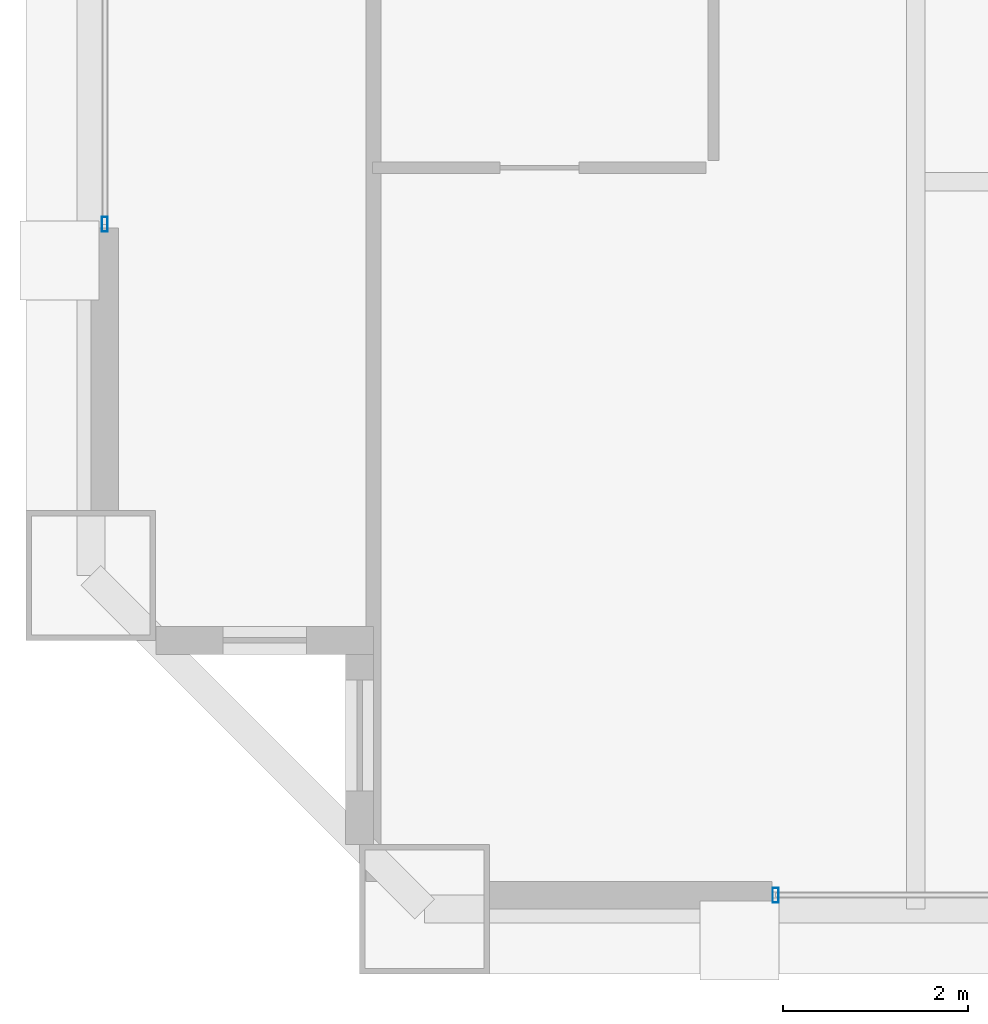
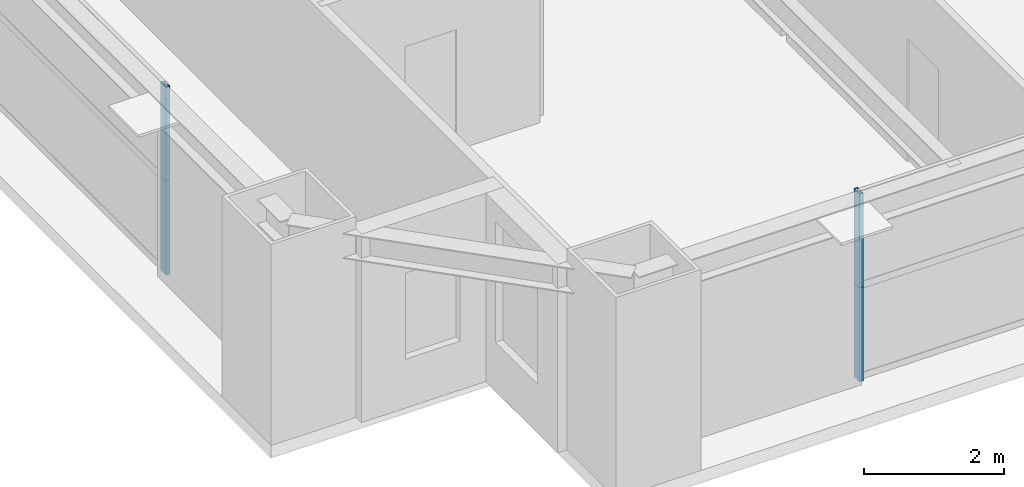
# One storey, part 4 of 38: 4 members, 2 elements without a shape of their own.
"""IFC4 building model written with IfcOpenShell, lengths in metres."""

from ifc_helpers import new_model, si_unit, direction, frame, origin, origin_2d, place, context, subcontext, project, spatial, hollow_rectangle, extrude, source, transform, mapped, material, layer, layer_set, material_profile, profile_set, type_object, element, aggregate, save


model = new_model("IFC4")

# Units and contexts
model_context = context("Model", 3, precision=1e-05, world=origin(), true_north=direction((0.0, 1.0)))
body_context = subcontext(model_context, "Body", "Model", "MODEL_VIEW")
ifc_project = project(units=[si_unit("LENGTHUNIT", "METRE"), si_unit("AREAUNIT", "SQUARE_METRE"), si_unit("VOLUMEUNIT", "CUBIC_METRE"), si_unit("PLANEANGLEUNIT", "RADIAN"), si_unit("MASSUNIT", "GRAM", prefix="KILO"), si_unit("THERMODYNAMICTEMPERATUREUNIT", "KELVIN"), si_unit("POWERUNIT", "WATT")], contexts=[model_context])

# Site, building, storey
site_placement = place(None, origin())
site = spatial("IfcSite", under=ifc_project, at=site_placement, CompositionType="ELEMENT")
building_placement = place(site_placement, origin())
building = spatial("IfcBuilding", under=site, at=building_placement, Name="Yuzanri Waterfront Tower", CompositionType="ELEMENT")
storey_placement = place(building_placement, frame((0.0, 0.0, 209.0)))
storey = spatial("IfcBuildingStorey", under=building, at=storey_placement, Name="L55", CompositionType="ELEMENT", Elevation=209.0)

# Curtain wall, members
ifc_material_1 = material(Name="Anodized Architectural Bronze", Category="metal")
ifc_layer = layer(ifc_material_1, 0.159912109375)
ifc_layer_set = layer_set([ifc_layer], Name="Anodized Architectural Bronze")
curtain_wall_type = type_object("IfcCurtainWallType", Name="Anodized Bronze Mid-Rise Residential Acoustic Unitized Curtain Wall 7200", PredefinedType="NOTDEFINED", material=ifc_layer_set)
curtain_wall_1_placement = place(storey_placement, origin())
curtain_wall_1 = element("IfcCurtainWall", 1, at=curtain_wall_1_placement, inside=storey, type_object=curtain_wall_type, Name="L55 Curtain Wall CW-L55-SL", PredefinedType="NOTDEFINED")
ifc_material_2 = material(Name="Anodized Architectural Bronze", Category="metal")
ifc_material_profile = material_profile(ifc_material_2, hollow_rectangle(XDim=0.06494140625, YDim=0.159912109375, WallThickness=0.00341796875, at=origin_2d()), Name="CWM 65x160")
ifc_profile_set = profile_set([ifc_material_profile], Name="Anodized Architectural Bronze")
member_type = type_object("IfcMemberType", Name="Anodized Bronze Upper-Zone Curtain-Wall Mullion 65x160", PredefinedType="MULLION", material=ifc_profile_set)
shared_shape = source(origin(), body_context, "Body", "SweptSolid", [
    extrude(hollow_rectangle(XDim=0.06494140625, YDim=0.159912109375, WallThickness=0.00341796875, at=origin_2d()), origin(), (0.0, 0.0, 1.0), 1.637939453125),
])
member_1_placement = place(storey_placement, frame((22.2900390625, 3.85009765625, 0.0), z_axis=(0.0, 0.0, 1.0), x_axis=(1.0, 0.0, 0.0)))
member_1 = element("IfcMember", 2, at=member_1_placement, type_object=member_type, Name="CW-L55-SL Lower Mullion 00", PredefinedType="MULLION", context=body_context, shape_type="MappedRepresentation", body=[
    mapped(shared_shape, transform((0.0, 0.0, 0.0), scale=1.0)),
])
member_2_placement = place(storey_placement, frame((22.2900390625, 3.85009765625, 1.64208984375), z_axis=(0.0, 0.0, 1.0), x_axis=(1.0, 0.0, 0.0)))
member_2 = element("IfcMember", 3, at=member_2_placement, type_object=member_type, Name="CW-L55-SL Upper Mullion 00", PredefinedType="MULLION", context=body_context, shape_type="MappedRepresentation", body=[
    mapped(shared_shape, transform((0.0, 0.0, 0.0), scale=1.0)),
])
aggregate(curtain_wall_1, [member_1, member_2])

curtain_wall_2_placement = place(storey_placement, origin())
curtain_wall_2 = element("IfcCurtainWall", 4, at=curtain_wall_2_placement, inside=storey, type_object=curtain_wall_type, Name="L55 Curtain Wall CW-L55-WL", PredefinedType="NOTDEFINED")
member_3_placement = place(storey_placement, frame((15.050048828125, 11.090087890625, 0.0), z_axis=(0.0, 0.0, 1.0), x_axis=(1.0, 0.0, 0.0)))
member_3 = element("IfcMember", 5, at=member_3_placement, type_object=member_type, Name="CW-L55-WL Lower Mullion 00", PredefinedType="MULLION", context=body_context, shape_type="MappedRepresentation", body=[
    mapped(shared_shape, transform((0.0, 0.0, 0.0), scale=1.0)),
])
member_4_placement = place(storey_placement, frame((15.050048828125, 11.090087890625, 1.64208984375), z_axis=(0.0, 0.0, 1.0), x_axis=(1.0, 0.0, 0.0)))
member_4 = element("IfcMember", 6, at=member_4_placement, type_object=member_type, Name="CW-L55-WL Upper Mullion 00", PredefinedType="MULLION", context=body_context, shape_type="MappedRepresentation", body=[
    mapped(shared_shape, transform((0.0, 0.0, 0.0), scale=1.0)),
])
aggregate(curtain_wall_2, [member_3, member_4])

save(model, "model.ifc")
